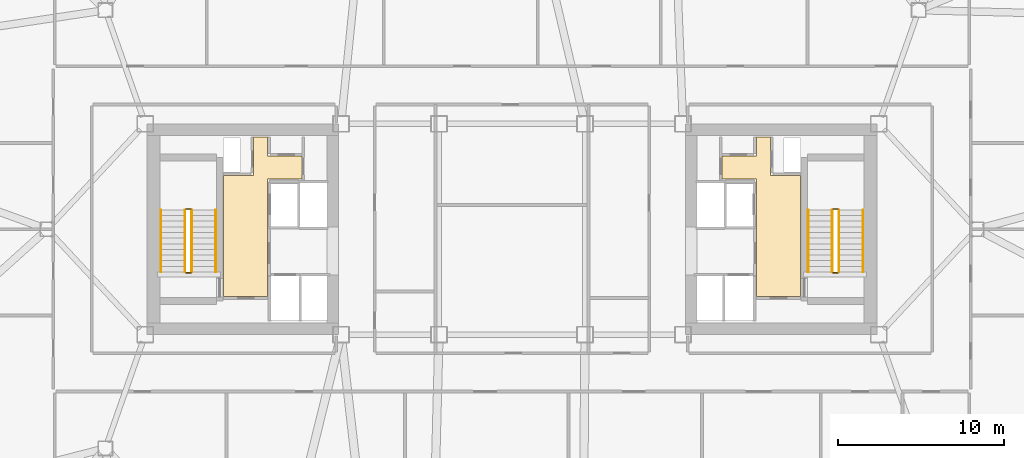
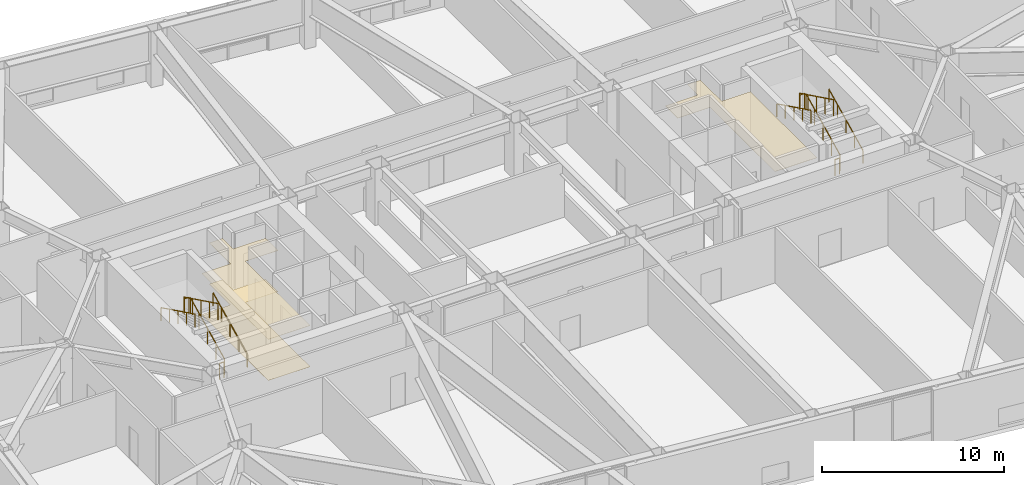
# One storey, part 20 of 21: 12 railings, 3 coverings.
"""IFC4 building model written with IfcOpenShell, lengths in metres."""

import ifcopenshell
import ifcopenshell.guid

model = None  # the IFC model being written
_history = None  # IfcOwnerHistory: only IFC2X3 demands one
_inside = {}  # id of a spatial element -> (the spatial element, [elements in it])
_under = {}  # id of a project, library or spatial element -> (it, [spatial elements below it])
_declared = {}  # id of a project -> (the project, [libraries it declares])
_typed = {}  # id of a type object -> (the type object, [elements of that type])
_made_of = {}  # id of a material, layer set ... -> (it, [elements and type objects made of it])


def new_model(schema):
    """Start an empty IFC model of exactly this schema.

    Asked for "IFC4X3", IfcOpenShell would pick the latest addendum, in which some entities
    have other attributes; the version numbers below select the first issue.
    IFC2X3 requires an IfcOwnerHistory on every rooted entity: one is made here for all.
    """
    global model, _history
    if schema == "IFC4X3":
        model = ifcopenshell.file(schema_version=(4, 3, 0, 0))
    else:
        model = ifcopenshell.file(schema=schema)
    _inside.clear()
    _under.clear()
    _declared.clear()
    _typed.clear()
    _made_of.clear()
    _history = None
    if model.schema == "IFC2X3":
        org = make("IfcOrganization", Name="unknown")
        user = make(
            "IfcPersonAndOrganization",
            ThePerson=make("IfcPerson", FamilyName="unknown"),
            TheOrganization=org,
        )
        app = make(
            "IfcApplication",
            ApplicationDeveloper=org,
            Version="unknown",
            ApplicationFullName="unknown",
            ApplicationIdentifier="unknown",
        )
        _history = make(
            "IfcOwnerHistory",
            OwningUser=user,
            OwningApplication=app,
            ChangeAction="ADDED",
            CreationDate=0,
        )
    return model


def make(cls, **values):
    """One entity of the class cls with the attributes given. An attribute that is None is left unset."""
    return model.create_entity(
        cls, **{name: value for name, value in values.items() if value is not None}
    )


def rooted(cls, **values):
    """An entity with a GlobalId (a new one), such as an element, a storey or a relation."""
    return make(cls, GlobalId=ifcopenshell.guid.new(), OwnerHistory=_history, **values)


def si_unit(unit_type, name, prefix=None):
    """IfcSIUnit, for example si_unit("LENGTHUNIT", "METRE", prefix="MILLI")."""
    return make("IfcSIUnit", UnitType=unit_type, Prefix=prefix, Name=name)


def assignment(units):
    """IfcUnitAssignment: the units of a project."""
    return None if units is None else make("IfcUnitAssignment", Units=units)


def point(xyz):
    """IfcCartesianPoint."""
    return None if xyz is None else make("IfcCartesianPoint", Coordinates=xyz)


def direction(xyz):
    """IfcDirection."""
    return None if xyz is None else make("IfcDirection", DirectionRatios=xyz)


def frame(location, z_axis=None, x_axis=None):
    """IfcAxis2Placement3D, a coordinate frame: its origin and axes. An axis left out is left unset."""
    return make(
        "IfcAxis2Placement3D",
        Location=point(location),
        Axis=direction(z_axis),
        RefDirection=direction(x_axis),
    )


def frame_2d(location, x_axis=None):
    """IfcAxis2Placement2D, a coordinate frame in the plane: its origin and x axis."""
    return make(
        "IfcAxis2Placement2D", Location=point(location), RefDirection=direction(x_axis)
    )


def origin():
    """The frame at (0, 0, 0) with its axes left unset."""
    return frame((0.0, 0.0, 0.0))


def origin_2d():
    """The frame at (0, 0) in the plane with its x axis left unset."""
    return frame_2d((0.0, 0.0))


def place(relative_to, where):
    """IfcLocalPlacement: puts the frame where relative to a parent placement (None: the world)."""
    return make(
        "IfcLocalPlacement", PlacementRelTo=relative_to, RelativePlacement=where
    )


def context(
    kind, dimensions, precision=None, world=None, true_north=None, identifier=None
):
    """IfcGeometricRepresentationContext, for example the 3D "Model" context."""
    return make(
        "IfcGeometricRepresentationContext",
        ContextIdentifier=identifier,
        ContextType=kind,
        CoordinateSpaceDimension=dimensions,
        Precision=precision,
        WorldCoordinateSystem=world,
        TrueNorth=true_north,
    )


def subcontext(parent, identifier, kind, view, scale=None):
    """IfcGeometricRepresentationSubContext, for example "Body" below "Model"."""
    return make(
        "IfcGeometricRepresentationSubContext",
        ContextIdentifier=identifier,
        ContextType=kind,
        ParentContext=parent,
        TargetScale=scale,
        TargetView=view,
    )


def project(units=None, contexts=None):
    """IfcProject with its units and contexts."""
    return rooted(
        "IfcProject",
        Name="project",
        RepresentationContexts=contexts,
        UnitsInContext=assignment(units),
    )


def spatial(cls, under=None, at=None, **own):
    """A site, building, storey or space (cls), placed at a placement, below another one or the project."""
    s = rooted(cls, ObjectPlacement=at, **own)
    if under is not None:
        _under.setdefault(under.id(), (under, []))[1].append(s)
    return s


def polyline(points):
    """IfcPolyline through the points."""
    return make("IfcPolyline", Points=[point(p) for p in points])


def profile(cls, at=None, kind="AREA", **sizes):
    """A parametric profile (cls). Its sizes go by their IFC names, for example OverallWidth=200.0."""
    return make(cls, ProfileType=kind, Position=at, **sizes)


def rectangle(**sizes):
    """IfcRectangleProfileDef."""
    return profile("IfcRectangleProfileDef", **sizes)


def outline(outer, holes=None, kind="AREA"):
    """IfcArbitraryClosedProfileDef: a profile drawn as a closed curve; with holes, ...WithVoids."""
    if holes is None:
        return make("IfcArbitraryClosedProfileDef", ProfileType=kind, OuterCurve=outer)
    return make(
        "IfcArbitraryProfileDefWithVoids",
        ProfileType=kind,
        OuterCurve=outer,
        InnerCurves=holes,
    )


def extrude(swept, where, along, depth):
    """IfcExtrudedAreaSolid: the profile swept, set in the frame where, extruded along a direction by depth."""
    return make(
        "IfcExtrudedAreaSolid",
        SweptArea=swept,
        Position=where,
        ExtrudedDirection=direction(along),
        Depth=depth,
    )


def shape(context_of_items, identifier, shape_type, items):
    """IfcShapeRepresentation: the items that make up one representation, for example the "Body"."""
    return make(
        "IfcShapeRepresentation",
        ContextOfItems=context_of_items,
        RepresentationIdentifier=identifier,
        RepresentationType=shape_type,
        Items=items,
    )


def material(Name=None, Category=None):
    """IfcMaterial."""
    return make("IfcMaterial", Name=Name, Category=Category)


def layer(
    of_material, thickness, ventilated=None, Name=None, Category=None, Priority=None
):
    """IfcMaterialLayer: one layer of a wall or slab, of a material (None: an air gap)."""
    return make(
        "IfcMaterialLayer",
        Material=of_material,
        LayerThickness=thickness,
        IsVentilated=ventilated,
        Name=Name,
        Category=Category,
        Priority=Priority,
    )


def layer_set(layers, Name=None):
    """IfcMaterialLayerSet."""
    return make("IfcMaterialLayerSet", MaterialLayers=layers, LayerSetName=Name)


def made_of(thing, what):
    """Note that an element or type object is made of a material, layer set ...; save() writes the relation."""
    if what is not None:
        _made_of.setdefault(what.id(), (what, []))[1].append(thing)
    return thing


def type_object(cls, material=None, **own):
    """A type object (cls), such as IfcWallType, which elements share."""
    return made_of(rooted(cls, **own), material)


def element(
    cls,
    number,
    at=None,
    inside=None,
    cuts=None,
    type_object=None,
    material=None,
    context=None,
    identifier="Body",
    shape_type=None,
    held_by="IfcProductDefinitionShape",
    body=None,
    shapes=None,
    **own,
):
    """One element of the class cls, such as IfcWall. Its Tag is "e" and its number.

    at: its placement. inside: the storey or other place that contains it. cuts: it is an
    opening in that element (IfcRelVoidsElement). A single representation is given by context,
    identifier, shape_type and body (its items); several are given by shapes. held_by: the class
    of the entity that holds the representations. save() writes the other relations.
    """
    e = rooted(cls, Tag="e%d" % number, ObjectPlacement=at, **own)
    if body is not None:
        shapes = [shape(context, identifier, shape_type, body)]
    if shapes is not None:
        e.Representation = make(held_by, Representations=shapes)
    if inside is not None:
        _inside.setdefault(inside.id(), (inside, []))[1].append(e)
    if cuts is not None:
        rooted(
            "IfcRelVoidsElement", RelatingBuildingElement=cuts, RelatedOpeningElement=e
        )
    if type_object is not None:
        _typed.setdefault(type_object.id(), (type_object, []))[1].append(e)
    return made_of(e, material)


def aggregate(whole, parts):
    """IfcRelAggregates: a whole, such as a stair, and the parts it consists of."""
    return rooted("IfcRelAggregates", RelatingObject=whole, RelatedObjects=parts)


def save(model, path):
    """Write the relations noted so far, then the file.

    IfcRelAggregates (storeys below a building ...), IfcRelContainedInSpatialStructure (elements
    in a storey), IfcRelDefinesByType, IfcRelAssociatesMaterial and IfcRelDeclares: one each for
    every whole, place, type object, material and project.
    """
    for whole, parts in _under.values():
        aggregate(whole, parts)
    for where, things in _inside.values():
        rooted(
            "IfcRelContainedInSpatialStructure",
            RelatedElements=things,
            RelatingStructure=where,
        )
    for kind, things in _typed.values():
        rooted("IfcRelDefinesByType", RelatedObjects=things, RelatingType=kind)
    for what, things in _made_of.values():
        rooted("IfcRelAssociatesMaterial", RelatedObjects=things, RelatingMaterial=what)
    for by, libraries in _declared.values():
        rooted("IfcRelDeclares", RelatingContext=by, RelatedDefinitions=libraries)
    model.write(path)


model = new_model("IFC4")

# Units and contexts
model_context = context("Model", 3, precision=1e-05, world=origin(), true_north=direction((0.0, 1.0)))
body_context = subcontext(model_context, "Body", "Model", "MODEL_VIEW")
ifc_project = project(units=[si_unit("LENGTHUNIT", "METRE"), si_unit("AREAUNIT", "SQUARE_METRE"), si_unit("VOLUMEUNIT", "CUBIC_METRE"), si_unit("PLANEANGLEUNIT", "RADIAN"), si_unit("MASSUNIT", "GRAM", prefix="KILO")], contexts=[model_context])

# Site, building, storey
site_placement = place(None, origin())
site = spatial("IfcSite", under=ifc_project, at=site_placement, CompositionType="ELEMENT")
building_placement = place(site_placement, origin())
building = spatial("IfcBuilding", under=site, at=building_placement, Name="Tavrogorsk Clinical Tower", CompositionType="ELEMENT")
storey_placement = place(building_placement, frame((0.0, 0.0, 89.39990234375)))
storey = spatial("IfcBuildingStorey", under=building, at=storey_placement, Name="L19", CompositionType="ELEMENT", Elevation=89.39990234375)

# Coverings
ifc_material_1 = material(Name="Antibacterial micro-perforated aluminium ceiling", Category="aluminium")
ifc_layer_1 = layer(ifc_material_1, 0.014892578125)
ifc_layer_set_1 = layer_set([ifc_layer_1], Name="Antibacterial micro-perforated aluminium ceiling")
covering_type_1 = type_object("IfcCoveringType", Name="ClinicalCeiling_15", PredefinedType="CEILING", material=ifc_layer_set_1)
covering_1_placement = place(storey_placement, frame((0.0, 0.0, 2.75)))
element("IfcCovering", 1, at=covering_1_placement, inside=storey, type_object=covering_type_1, Name="Core West Firefighting Lift Lobby Acoustic Ceiling", PredefinedType="CEILING", context=body_context, shape_type="SweptSolid", body=[
    extrude(outline(polyline([(-17.3798828125, -4.06005859375), (-17.3798828125, 3.239990234375), (-15.56005859375, 3.239990234375), (-15.56005859375, 5.56005859375), (-14.719970703125, 5.56005859375), (-14.719970703125, 4.39990234375), (-12.659912109375, 4.39990234375), (-12.659912109375, 3.0400390625), (-14.719970703125, 3.0400390625), (-14.719970703125, -4.06005859375), (-17.3798828125, -4.06005859375)])), origin(), (0.0, 0.0, 1.0), 0.01513671875),
])
covering_2_placement = place(storey_placement, frame((0.0, 0.0, 2.75)))
element("IfcCovering", 2, at=covering_2_placement, inside=storey, type_object=covering_type_1, Name="Core East Firefighting Lift Lobby Acoustic Ceiling", PredefinedType="CEILING", context=body_context, shape_type="SweptSolid", body=[
    extrude(outline(polyline([(14.719970703125, 3.0400390625), (12.659912109375, 3.0400390625), (12.659912109375, 4.39990234375), (14.719970703125, 4.39990234375), (14.719970703125, 5.56005859375), (15.56005859375, 5.56005859375), (15.56005859375, 3.239990234375), (17.3798828125, 3.239990234375), (17.3798828125, -4.06005859375), (14.719970703125, -4.06005859375), (14.719970703125, 3.0400390625)])), origin(), (0.0, 0.0, 1.0), 0.01513671875),
])
ifc_material_2 = material(Name="Homogeneous medical conductive PVC flooring")
ifc_layer_2 = layer(ifc_material_2, 0.008056640625)
ifc_layer_set_2 = layer_set([ifc_layer_2], Name="Homogeneous medical conductive PVC flooring")
covering_type_2 = type_object("IfcCoveringType", Name="ResilientVinylFloor_8", PredefinedType="FLOORING", material=ifc_layer_set_2)
covering_3_placement = place(storey_placement, origin())
element("IfcCovering", 3, at=covering_3_placement, inside=storey, type_object=covering_type_2, Name="Core West Firefighting Lift Lobby Conductive Vinyl Flooring", PredefinedType="FLOORING", context=body_context, shape_type="SweptSolid", body=[
    extrude(outline(polyline([(-17.3798828125, -4.06005859375), (-17.3798828125, 3.239990234375), (-15.56005859375, 3.239990234375), (-15.56005859375, 5.56005859375), (-14.719970703125, 5.56005859375), (-14.719970703125, 4.39990234375), (-12.659912109375, 4.39990234375), (-12.659912109375, 3.0400390625), (-14.719970703125, 3.0400390625), (-14.719970703125, -4.06005859375), (-17.3798828125, -4.06005859375)])), origin(), (0.0, 0.0, 1.0), 0.008056640625),
])

# Railings
ifc_material_3 = material(Name="Galvanised steel S355 safety stairwell guard", Category="steel")
ifc_layer_3 = layer(ifc_material_3, 0.06005859375)
ifc_layer_set_3 = layer_set([ifc_layer_3], Name="Galvanised steel S355 safety stairwell guard")
railing_type_1 = type_object("IfcRailingType", Name="StairGuard_1150", PredefinedType="GUARDRAIL", material=ifc_layer_set_3)
railing_1_placement = place(storey_placement, frame((-19.300048828125, -2.574951171875, 0.166748046875)))
element("IfcRailing", 4, at=railing_1_placement, inside=storey, type_object=railing_type_1, Name="L19 ST-W stair guard 1", PredefinedType="GUARDRAIL", context=body_context, shape_type="SweptSolid", body=[
    extrude(rectangle(XDim=0.048095703125, YDim=0.048095703125, at=origin_2d()), frame((0.0, 0.0, 1.076171875), z_axis=(0.0, 0.897927990467, 0.440142390523), x_axis=(-1.0, 0.0, 0.0)), (0.0, 0.0, 1.0), 4.1650390625),
    extrude(rectangle(XDim=0.0419921875, YDim=0.0419921875, at=origin_2d()), origin(), (0.0, 0.0, 1.0), 1.052001953125),
    extrude(rectangle(XDim=0.0419921875, YDim=0.0419921875, at=origin_2d()), frame((0.0, 0.93505859375, 0.458251953125)), (0.0, 0.0, 1.0), 1.052001953125),
    extrude(rectangle(XDim=0.0419921875, YDim=0.0419921875, at=origin_2d()), frame((0.0, 1.8701171875, 0.91650390625)), (0.0, 0.0, 1.0), 1.052001953125),
    extrude(rectangle(XDim=0.0419921875, YDim=0.0419921875, at=origin_2d()), frame((0.0, 2.804931640625, 1.375)), (0.0, 0.0, 1.0), 1.052001953125),
    extrude(rectangle(XDim=0.0419921875, YDim=0.0419921875, at=origin_2d()), frame((0.0, 3.739990234375, 1.833251953125)), (0.0, 0.0, 1.0), 1.052001953125),
])
railing_2_placement = place(storey_placement, frame((-19.35009765625, 1.215087890625, 2.0)))
element("IfcRailing", 5, at=railing_2_placement, inside=storey, type_object=railing_type_1, Name="L19 ST-W stair guard 2", PredefinedType="GUARDRAIL", context=body_context, shape_type="SweptSolid", body=[
    extrude(rectangle(XDim=0.048095703125, YDim=0.048095703125, at=origin_2d()), frame((0.0, 0.0, 1.076171875), z_axis=(-1.0, 0.0, 0.0), x_axis=(0.0, -1.0, 0.0)), (0.0, 0.0, 1.0), 0.2998046875),
    extrude(rectangle(XDim=0.0419921875, YDim=0.0419921875, at=origin_2d()), origin(), (0.0, 0.0, 1.0), 1.052001953125),
    extrude(rectangle(XDim=0.0419921875, YDim=0.0419921875, at=origin_2d()), frame((-0.2998046875, 0.0, 0.0)), (0.0, 0.0, 1.0), 1.052001953125),
])
railing_3_placement = place(storey_placement, frame((-19.699951171875, 1.1650390625, 2.166748046875)))
element("IfcRailing", 6, at=railing_3_placement, inside=storey, type_object=railing_type_1, Name="L19 ST-W stair guard 3", PredefinedType="GUARDRAIL", context=body_context, shape_type="SweptSolid", body=[
    extrude(rectangle(XDim=0.048095703125, YDim=0.048095703125, at=origin_2d()), frame((0.0, 0.0, 1.076171875), z_axis=(0.0, -0.897927990467, 0.440142390523), x_axis=(1.0, 0.0, 0.0)), (0.0, 0.0, 1.0), 4.1650390625),
    extrude(rectangle(XDim=0.0419921875, YDim=0.0419921875, at=origin_2d()), origin(), (0.0, 0.0, 1.0), 1.052001953125),
    extrude(rectangle(XDim=0.0419921875, YDim=0.0419921875, at=origin_2d()), frame((0.0, -0.93505859375, 0.458251953125)), (0.0, 0.0, 1.0), 1.052001953125),
    extrude(rectangle(XDim=0.0419921875, YDim=0.0419921875, at=origin_2d()), frame((0.0, -1.8701171875, 0.91650390625)), (0.0, 0.0, 1.0), 1.052001953125),
    extrude(rectangle(XDim=0.0419921875, YDim=0.0419921875, at=origin_2d()), frame((0.0, -2.804931640625, 1.375)), (0.0, 0.0, 1.0), 1.052001953125),
    extrude(rectangle(XDim=0.0419921875, YDim=0.0419921875, at=origin_2d()), frame((0.0, -3.739990234375, 1.833251953125)), (0.0, 0.0, 1.0), 1.052001953125),
])
railing_4_placement = place(storey_placement, frame((-19.35009765625, -2.625, 0.0)))
element("IfcRailing", 7, at=railing_4_placement, inside=storey, type_object=railing_type_1, Name="L19 ST-W stair guard 4", PredefinedType="GUARDRAIL", context=body_context, shape_type="SweptSolid", body=[
    extrude(rectangle(XDim=0.048095703125, YDim=0.048095703125, at=origin_2d()), frame((0.0, 0.0, 1.076171875), z_axis=(-1.0, 0.0, 0.0), x_axis=(0.0, -1.0, 0.0)), (0.0, 0.0, 1.0), 0.2998046875),
    extrude(rectangle(XDim=0.0419921875, YDim=0.0419921875, at=origin_2d()), origin(), (0.0, 0.0, 1.0), 1.052001953125),
    extrude(rectangle(XDim=0.0419921875, YDim=0.0419921875, at=origin_2d()), frame((-0.2998046875, 0.0, 0.0)), (0.0, 0.0, 1.0), 1.052001953125),
])
railing_5_placement = place(storey_placement, frame((19.699951171875, -2.574951171875, 0.166748046875)))
element("IfcRailing", 8, at=railing_5_placement, inside=storey, type_object=railing_type_1, Name="L19 ST-E stair guard 1", PredefinedType="GUARDRAIL", context=body_context, shape_type="SweptSolid", body=[
    extrude(rectangle(XDim=0.048095703125, YDim=0.048095703125, at=origin_2d()), frame((0.0, 0.0, 1.076171875), z_axis=(0.0, 0.897927990467, 0.440142390523), x_axis=(-1.0, 0.0, 0.0)), (0.0, 0.0, 1.0), 4.1650390625),
    extrude(rectangle(XDim=0.0419921875, YDim=0.0419921875, at=origin_2d()), origin(), (0.0, 0.0, 1.0), 1.052001953125),
    extrude(rectangle(XDim=0.0419921875, YDim=0.0419921875, at=origin_2d()), frame((0.0, 0.93505859375, 0.458251953125)), (0.0, 0.0, 1.0), 1.052001953125),
    extrude(rectangle(XDim=0.0419921875, YDim=0.0419921875, at=origin_2d()), frame((0.0, 1.8701171875, 0.91650390625)), (0.0, 0.0, 1.0), 1.052001953125),
    extrude(rectangle(XDim=0.0419921875, YDim=0.0419921875, at=origin_2d()), frame((0.0, 2.804931640625, 1.375)), (0.0, 0.0, 1.0), 1.052001953125),
    extrude(rectangle(XDim=0.0419921875, YDim=0.0419921875, at=origin_2d()), frame((0.0, 3.739990234375, 1.833251953125)), (0.0, 0.0, 1.0), 1.052001953125),
])
railing_6_placement = place(storey_placement, frame((19.64990234375, 1.215087890625, 2.0)))
element("IfcRailing", 9, at=railing_6_placement, inside=storey, type_object=railing_type_1, Name="L19 ST-E stair guard 2", PredefinedType="GUARDRAIL", context=body_context, shape_type="SweptSolid", body=[
    extrude(rectangle(XDim=0.048095703125, YDim=0.048095703125, at=origin_2d()), frame((0.0, 0.0, 1.076171875), z_axis=(-1.0, 0.0, 0.0), x_axis=(0.0, -1.0, 0.0)), (0.0, 0.0, 1.0), 0.2998046875),
    extrude(rectangle(XDim=0.0419921875, YDim=0.0419921875, at=origin_2d()), origin(), (0.0, 0.0, 1.0), 1.052001953125),
    extrude(rectangle(XDim=0.0419921875, YDim=0.0419921875, at=origin_2d()), frame((-0.2998046875, 0.0, 0.0)), (0.0, 0.0, 1.0), 1.052001953125),
])
railing_7_placement = place(storey_placement, frame((19.300048828125, 1.1650390625, 2.166748046875)))
element("IfcRailing", 10, at=railing_7_placement, inside=storey, type_object=railing_type_1, Name="L19 ST-E stair guard 3", PredefinedType="GUARDRAIL", context=body_context, shape_type="SweptSolid", body=[
    extrude(rectangle(XDim=0.048095703125, YDim=0.048095703125, at=origin_2d()), frame((0.0, 0.0, 1.076171875), z_axis=(0.0, -0.897927990467, 0.440142390523), x_axis=(1.0, 0.0, 0.0)), (0.0, 0.0, 1.0), 4.1650390625),
    extrude(rectangle(XDim=0.0419921875, YDim=0.0419921875, at=origin_2d()), origin(), (0.0, 0.0, 1.0), 1.052001953125),
    extrude(rectangle(XDim=0.0419921875, YDim=0.0419921875, at=origin_2d()), frame((0.0, -0.93505859375, 0.458251953125)), (0.0, 0.0, 1.0), 1.052001953125),
    extrude(rectangle(XDim=0.0419921875, YDim=0.0419921875, at=origin_2d()), frame((0.0, -1.8701171875, 0.91650390625)), (0.0, 0.0, 1.0), 1.052001953125),
    extrude(rectangle(XDim=0.0419921875, YDim=0.0419921875, at=origin_2d()), frame((0.0, -2.804931640625, 1.375)), (0.0, 0.0, 1.0), 1.052001953125),
    extrude(rectangle(XDim=0.0419921875, YDim=0.0419921875, at=origin_2d()), frame((0.0, -3.739990234375, 1.833251953125)), (0.0, 0.0, 1.0), 1.052001953125),
])
railing_8_placement = place(storey_placement, frame((19.64990234375, -2.625, 0.0)))
element("IfcRailing", 11, at=railing_8_placement, inside=storey, type_object=railing_type_1, Name="L19 ST-E stair guard 4", PredefinedType="GUARDRAIL", context=body_context, shape_type="SweptSolid", body=[
    extrude(rectangle(XDim=0.048095703125, YDim=0.048095703125, at=origin_2d()), frame((0.0, 0.0, 1.076171875), z_axis=(-1.0, 0.0, 0.0), x_axis=(0.0, -1.0, 0.0)), (0.0, 0.0, 1.0), 0.2998046875),
    extrude(rectangle(XDim=0.0419921875, YDim=0.0419921875, at=origin_2d()), origin(), (0.0, 0.0, 1.0), 1.052001953125),
    extrude(rectangle(XDim=0.0419921875, YDim=0.0419921875, at=origin_2d()), frame((-0.2998046875, 0.0, 0.0)), (0.0, 0.0, 1.0), 1.052001953125),
])
ifc_material_4 = material(Name="Stainless steel AISI 304 tubular handrail", Category="steel")
ifc_layer_4 = layer(ifc_material_4, 0.050048828125)
ifc_layer_set_4 = layer_set([ifc_layer_4], Name="Stainless steel AISI 304 tubular handrail")
railing_type_2 = type_object("IfcRailingType", Name="StairHandrail_920", PredefinedType="HANDRAIL", material=ifc_layer_set_4)
railing_9_placement = place(storey_placement, frame((-17.85009765625, -2.574951171875, 0.166748046875)))
element("IfcRailing", 12, at=railing_9_placement, inside=storey, type_object=railing_type_2, Name="L19 ST-W stair handrail 1", PredefinedType="HANDRAIL", context=body_context, shape_type="SweptSolid", body=[
    extrude(rectangle(XDim=0.048095703125, YDim=0.048095703125, at=origin_2d()), frame((0.0, 0.0, 0.8759765625), z_axis=(0.0, 0.897927990467, 0.440142390523), x_axis=(-1.0, 0.0, 0.0)), (0.0, 0.0, 1.0), 4.1650390625),
    extrude(rectangle(XDim=0.0419921875, YDim=0.0419921875, at=origin_2d()), origin(), (0.0, 0.0, 1.0), 0.851806640625),
    extrude(rectangle(XDim=0.0419921875, YDim=0.0419921875, at=origin_2d()), frame((0.0, 0.93505859375, 0.458251953125)), (0.0, 0.0, 1.0), 0.851806640625),
    extrude(rectangle(XDim=0.0419921875, YDim=0.0419921875, at=origin_2d()), frame((0.0, 1.8701171875, 0.91650390625)), (0.0, 0.0, 1.0), 0.851806640625),
    extrude(rectangle(XDim=0.0419921875, YDim=0.0419921875, at=origin_2d()), frame((0.0, 2.804931640625, 1.375)), (0.0, 0.0, 1.0), 0.851806640625),
    extrude(rectangle(XDim=0.0419921875, YDim=0.0419921875, at=origin_2d()), frame((0.0, 3.739990234375, 1.833251953125)), (0.0, 0.0, 1.0), 0.851806640625),
])
railing_10_placement = place(storey_placement, frame((-21.14990234375, 1.1650390625, 2.166748046875)))
element("IfcRailing", 13, at=railing_10_placement, inside=storey, type_object=railing_type_2, Name="L19 ST-W stair handrail 2", PredefinedType="HANDRAIL", context=body_context, shape_type="SweptSolid", body=[
    extrude(rectangle(XDim=0.048095703125, YDim=0.048095703125, at=origin_2d()), frame((0.0, 0.0, 0.8759765625), z_axis=(0.0, -0.897927990467, 0.440142390523), x_axis=(1.0, 0.0, 0.0)), (0.0, 0.0, 1.0), 4.1650390625),
    extrude(rectangle(XDim=0.0419921875, YDim=0.0419921875, at=origin_2d()), origin(), (0.0, 0.0, 1.0), 0.851806640625),
    extrude(rectangle(XDim=0.0419921875, YDim=0.0419921875, at=origin_2d()), frame((0.0, -0.93505859375, 0.458251953125)), (0.0, 0.0, 1.0), 0.851806640625),
    extrude(rectangle(XDim=0.0419921875, YDim=0.0419921875, at=origin_2d()), frame((0.0, -1.8701171875, 0.91650390625)), (0.0, 0.0, 1.0), 0.851806640625),
    extrude(rectangle(XDim=0.0419921875, YDim=0.0419921875, at=origin_2d()), frame((0.0, -2.804931640625, 1.375)), (0.0, 0.0, 1.0), 0.851806640625),
    extrude(rectangle(XDim=0.0419921875, YDim=0.0419921875, at=origin_2d()), frame((0.0, -3.739990234375, 1.833251953125)), (0.0, 0.0, 1.0), 0.851806640625),
])
railing_11_placement = place(storey_placement, frame((21.14990234375, -2.574951171875, 0.166748046875)))
element("IfcRailing", 14, at=railing_11_placement, inside=storey, type_object=railing_type_2, Name="L19 ST-E stair handrail 1", PredefinedType="HANDRAIL", context=body_context, shape_type="SweptSolid", body=[
    extrude(rectangle(XDim=0.048095703125, YDim=0.048095703125, at=origin_2d()), frame((0.0, 0.0, 0.8759765625), z_axis=(0.0, 0.897927990467, 0.440142390523), x_axis=(-1.0, 0.0, 0.0)), (0.0, 0.0, 1.0), 4.1650390625),
    extrude(rectangle(XDim=0.0419921875, YDim=0.0419921875, at=origin_2d()), origin(), (0.0, 0.0, 1.0), 0.851806640625),
    extrude(rectangle(XDim=0.0419921875, YDim=0.0419921875, at=origin_2d()), frame((0.0, 0.93505859375, 0.458251953125)), (0.0, 0.0, 1.0), 0.851806640625),
    extrude(rectangle(XDim=0.0419921875, YDim=0.0419921875, at=origin_2d()), frame((0.0, 1.8701171875, 0.91650390625)), (0.0, 0.0, 1.0), 0.851806640625),
    extrude(rectangle(XDim=0.0419921875, YDim=0.0419921875, at=origin_2d()), frame((0.0, 2.804931640625, 1.375)), (0.0, 0.0, 1.0), 0.851806640625),
    extrude(rectangle(XDim=0.0419921875, YDim=0.0419921875, at=origin_2d()), frame((0.0, 3.739990234375, 1.833251953125)), (0.0, 0.0, 1.0), 0.851806640625),
])
railing_12_placement = place(storey_placement, frame((17.85009765625, 1.1650390625, 2.166748046875)))
element("IfcRailing", 15, at=railing_12_placement, inside=storey, type_object=railing_type_2, Name="L19 ST-E stair handrail 2", PredefinedType="HANDRAIL", context=body_context, shape_type="SweptSolid", body=[
    extrude(rectangle(XDim=0.048095703125, YDim=0.048095703125, at=origin_2d()), frame((0.0, 0.0, 0.8759765625), z_axis=(0.0, -0.897927990467, 0.440142390523), x_axis=(1.0, 0.0, 0.0)), (0.0, 0.0, 1.0), 4.1650390625),
    extrude(rectangle(XDim=0.0419921875, YDim=0.0419921875, at=origin_2d()), origin(), (0.0, 0.0, 1.0), 0.851806640625),
    extrude(rectangle(XDim=0.0419921875, YDim=0.0419921875, at=origin_2d()), frame((0.0, -0.93505859375, 0.458251953125)), (0.0, 0.0, 1.0), 0.851806640625),
    extrude(rectangle(XDim=0.0419921875, YDim=0.0419921875, at=origin_2d()), frame((0.0, -1.8701171875, 0.91650390625)), (0.0, 0.0, 1.0), 0.851806640625),
    extrude(rectangle(XDim=0.0419921875, YDim=0.0419921875, at=origin_2d()), frame((0.0, -2.804931640625, 1.375)), (0.0, 0.0, 1.0), 0.851806640625),
    extrude(rectangle(XDim=0.0419921875, YDim=0.0419921875, at=origin_2d()), frame((0.0, -3.739990234375, 1.833251953125)), (0.0, 0.0, 1.0), 0.851806640625),
])

save(model, "model.ifc")
